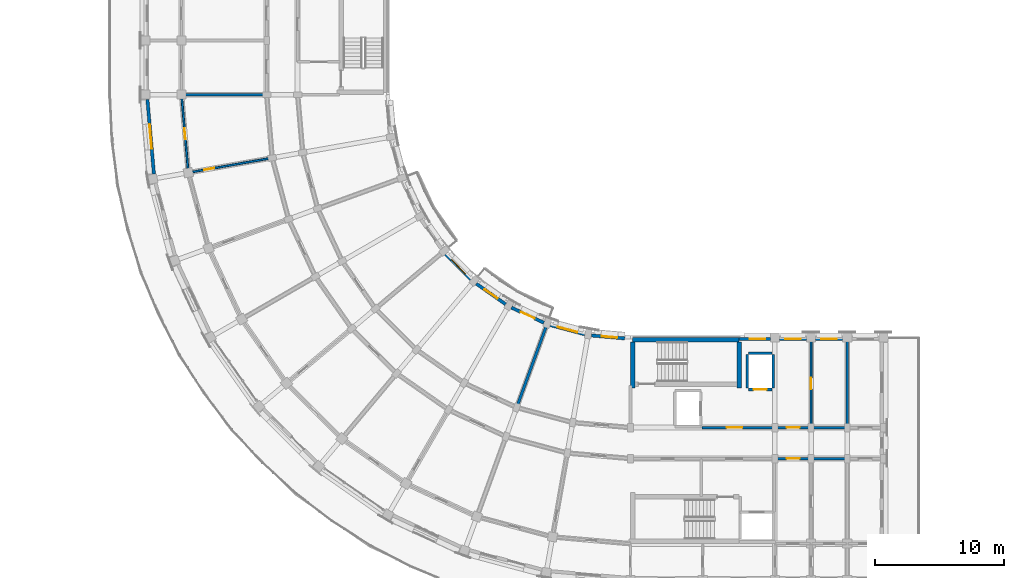
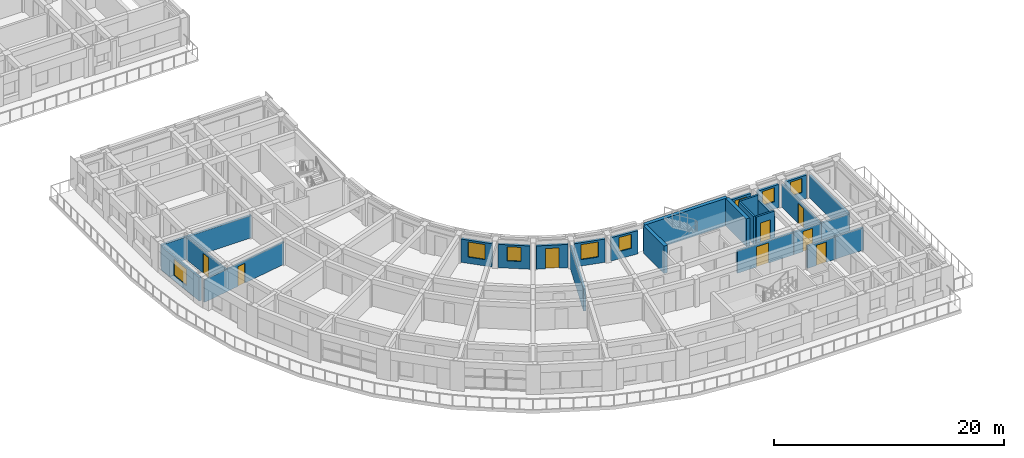
# One storey, part 19 of 54: 27 walls, 8 doors, 8 windows, 16 openings.
"""IFC4 building model written with IfcOpenShell, lengths in metres."""

from ifc_helpers import new_model, si_unit, direction, frame, frame_2d, origin, place, context, subcontext, project, spatial, rectangle, extrude, material, layer, layer_set, type_object, element, fill, save


model = new_model("IFC4")

# Units and contexts
model_context = context("Model", 3, precision=1e-05, world=origin(), true_north=direction((0.0, 1.0)))
body_context = subcontext(model_context, "Body", "Model", "MODEL_VIEW")
ifc_project = project(units=[si_unit("LENGTHUNIT", "METRE"), si_unit("AREAUNIT", "SQUARE_METRE"), si_unit("VOLUMEUNIT", "CUBIC_METRE"), si_unit("PLANEANGLEUNIT", "RADIAN"), si_unit("MASSUNIT", "GRAM", prefix="KILO")], contexts=[model_context])

# Site, building, storey
site_placement = place(None, origin())
site = spatial("IfcSite", under=ifc_project, at=site_placement, CompositionType="ELEMENT")
building_placement = place(site_placement, origin())
building = spatial("IfcBuilding", under=site, at=building_placement, Name="Kiranvali Square Residences", CompositionType="ELEMENT")
storey_placement = place(building_placement, frame((0.0, 0.0, 27.60009765625)))
storey = spatial("IfcBuildingStorey", under=building, at=storey_placement, Name="L08", CompositionType="ELEMENT", Elevation=27.60009765625)

# Wall, opening, door
ifc_material_1 = material(Name="Autoclaved aerated concrete blockwork masonry", Category="masonry")
ifc_layer_1 = layer(ifc_material_1, 0.199951171875)
ifc_layer_set_1 = layer_set([ifc_layer_1], Name="Autoclaved aerated concrete blockwork masonry")
wall_type_1 = type_object("IfcWallType", Name="WL-COR-200", PredefinedType="STANDARD", material=ifc_layer_set_1)
wall_1_placement = place(storey_placement, frame((53.75, 22.39990234375, 0.0), z_axis=(0.0, 0.0, 1.0), x_axis=(1.0, 0.0, 0.0)))
wall_1 = element("IfcWall", 1, at=wall_1_placement, inside=storey, type_object=wall_type_1, Name="L08 architectural wall WL-L08-C-LL-COR", PredefinedType="STANDARD", context=body_context, shape_type="SweptSolid", body=[
    extrude(rectangle(XDim=5.60009765625, YDim=0.199951171875, at=frame_2d((2.800048828125, 0.0))), origin(), (0.0, 0.0, 1.0), 2.371826171875),
])
opening_1_placement = place(wall_1_placement, frame((1.909912109375, 0.0, 0.0)))
opening_1 = element("IfcOpeningElement", 2, at=opening_1_placement, cuts=wall_1, Name="Opening FD-COR-60", PredefinedType="OPENING", context=body_context, shape_type="SweptSolid", body=[
    extrude(rectangle(XDim=1.219970703125, YDim=2.14990234375, at=frame_2d((0.60986328125, 1.074951171875))), frame((0.0, 0.10986328125, 0.0), z_axis=(0.0, -1.0, 0.0), x_axis=(1.0, 0.0, 0.0)), (0.0, 0.0, 1.0), 0.219970703125),
])
ifc_material_2 = material(Name="Fire-rated acoustic hardwood and mineral-core door assembly", Category="wood")
door_type_1 = type_object("IfcDoorType", Name="DR-FD60-1200", OperationType="NOTDEFINED", PredefinedType="DOOR", material=ifc_material_2)
door_1_placement = place(opening_1_placement, origin())
door_1 = element("IfcDoor", 3, at=door_1_placement, inside=storey, type_object=door_type_1, Name="L08 door DR-L08-2207 (DR-FD60-1200)", OperationType="SINGLE_SWING_LEFT", OverallHeight=2.14990234375, OverallWidth=1.219970703125, PredefinedType="DOOR", context=body_context, shape_type="SweptSolid", body=[
    extrude(rectangle(XDim=1.219970703125, YDim=2.14990234375, at=frame_2d((0.60986328125, 1.074951171875))), frame((0.0, 0.02490234375, 0.0), z_axis=(0.0, -1.0, 0.0), x_axis=(1.0, 0.0, 0.0)), (0.0, 0.0, 1.0), 0.050048828125),
])
fill(opening_1, door_1)

wall_2_placement = place(storey_placement, frame((59.39990234375, 22.39990234375, 0.0), z_axis=(0.0, 0.0, 1.0), x_axis=(1.0, 0.0, 0.0)))
wall_2 = element("IfcWall", 4, at=wall_2_placement, inside=storey, type_object=wall_type_1, Name="L08 architectural wall WL-L08-C-A1CI-0", PredefinedType="STANDARD", context=body_context, shape_type="SweptSolid", body=[
    extrude(rectangle(XDim=2.800048828125, YDim=0.199951171875, at=frame_2d((1.39990234375, 0.0))), origin(), (0.0, 0.0, 1.0), 2.371826171875),
])
opening_2_placement = place(wall_2_placement, frame((0.89990234375, 0.0, 0.0)))
opening_2 = element("IfcOpeningElement", 5, at=opening_2_placement, cuts=wall_2, Name="Opening FD-APT-60", PredefinedType="OPENING", context=body_context, shape_type="SweptSolid", body=[
    extrude(rectangle(XDim=1.0, YDim=2.14990234375, at=frame_2d((0.5, 1.074951171875))), frame((0.0, 0.10986328125, 0.0), z_axis=(0.0, -1.0, 0.0), x_axis=(1.0, 0.0, 0.0)), (0.0, 0.0, 1.0), 0.219970703125),
])
door_type_2 = type_object("IfcDoorType", Name="DR-APT-1000", OperationType="NOTDEFINED", PredefinedType="DOOR", material=ifc_material_2)
door_2_placement = place(opening_2_placement, origin())
door_2 = element("IfcDoor", 6, at=door_2_placement, inside=storey, type_object=door_type_2, Name="L08 door DR-L08-2211 (DR-APT-1000)", OperationType="SINGLE_SWING_LEFT", OverallHeight=2.14990234375, OverallWidth=1.0, PredefinedType="DOOR", context=body_context, shape_type="SweptSolid", body=[
    extrude(rectangle(XDim=1.0, YDim=2.14990234375, at=frame_2d((0.5, 1.074951171875))), frame((0.0, 0.02490234375, 0.0), z_axis=(0.0, -1.0, 0.0), x_axis=(1.0, 0.0, 0.0)), (0.0, 0.0, 1.0), 0.050048828125),
])
fill(opening_2, door_2)

wall_3_placement = place(storey_placement, frame((59.39990234375, 20.0, 0.0), z_axis=(0.0, 0.0, 1.0), x_axis=(1.0, 0.0, 0.0)))
wall_3 = element("IfcWall", 7, at=wall_3_placement, inside=storey, type_object=wall_type_1, Name="L08 architectural wall WL-L08-C-A1CO-0", PredefinedType="STANDARD", context=body_context, shape_type="SweptSolid", body=[
    extrude(rectangle(XDim=2.800048828125, YDim=0.199951171875, at=frame_2d((1.39990234375, 0.0))), origin(), (0.0, 0.0, 1.0), 2.371826171875),
])
opening_3_placement = place(wall_3_placement, frame((0.89990234375, 0.0, 0.0)))
opening_3 = element("IfcOpeningElement", 8, at=opening_3_placement, cuts=wall_3, Name="Opening FD-APT-60", PredefinedType="OPENING", context=body_context, shape_type="SweptSolid", body=[
    extrude(rectangle(XDim=1.0, YDim=2.14990234375, at=frame_2d((0.5, 1.074951171875))), frame((0.0, 0.10986328125, 0.0), z_axis=(0.0, -1.0, 0.0), x_axis=(1.0, 0.0, 0.0)), (0.0, 0.0, 1.0), 0.219970703125),
])
door_3_placement = place(opening_3_placement, origin())
door_3 = element("IfcDoor", 9, at=door_3_placement, inside=storey, type_object=door_type_2, Name="L08 door DR-L08-2213 (DR-APT-1000)", OperationType="SINGLE_SWING_LEFT", OverallHeight=2.14990234375, OverallWidth=1.0, PredefinedType="DOOR", context=body_context, shape_type="SweptSolid", body=[
    extrude(rectangle(XDim=1.0, YDim=2.14990234375, at=frame_2d((0.5, 1.074951171875))), frame((0.0, 0.02490234375, 0.0), z_axis=(0.0, -1.0, 0.0), x_axis=(1.0, 0.0, 0.0)), (0.0, 0.0, 1.0), 0.050048828125),
])
fill(opening_3, door_3)

# Walls
for number, where, z_axis, x_axis, name in (
    (10, (62.199951171875, 22.39990234375, 0.0), (0.0, 0.0, 1.0), (1.0, 0.0, 0.0), "L08 architectural wall WL-L08-C-A1CI-1"),
    (11, (62.199951171875, 20.0, 0.0), (0.0, 0.0, 1.0), (1.0, 0.0, 0.0), "L08 architectural wall WL-L08-C-A1CO-1"),
):
    element("IfcWall", number, at=place(storey_placement, frame(where, z_axis=z_axis, x_axis=x_axis)), inside=storey, type_object=wall_type_1, Name=name, PredefinedType="STANDARD", context=body_context, shape_type="SweptSolid", body=[
        extrude(rectangle(XDim=2.800048828125, YDim=0.199951171875, at=frame_2d((1.39990234375, 0.0))), origin(), (0.0, 0.0, 1.0), 2.371826171875),
    ])
ifc_layer_2 = layer(ifc_material_1, 0.219970703125)
ifc_layer_set_2 = layer_set([ifc_layer_2], Name="Autoclaved aerated concrete blockwork masonry")
wall_type_2 = type_object("IfcWallType", Name="WL-DEM-220", PredefinedType="STANDARD", material=ifc_layer_set_2)
for number, where, z_axis, x_axis, name in (
    (12, (65.0, 29.199951171875, 0.0), (0.0, 0.0, 1.0), (0.0, -1.0, 0.0), "L08 architectural wall WL-L08-C-A1TI-2"),
    (13, (41.70166015625, 30.345947265625, 0.0), (0.0, 0.0, 1.0), (-0.342010221662, -0.939696231917, 0.0), "L08 architectural wall WL-L08-C-RADI-2"),
):
    element("IfcWall", number, at=place(storey_placement, frame(where, z_axis=z_axis, x_axis=x_axis)), inside=storey, type_object=wall_type_2, Name=name, PredefinedType="STANDARD", context=body_context, shape_type="SweptSolid", body=[
        extrude(rectangle(XDim=6.75, YDim=0.219970703125, at=frame_2d((3.375, 0.0))), origin(), (0.0, 0.0, 1.0), 2.371826171875),
    ])
wall_4_placement = place(storey_placement, frame((19.89990234375, 48.199951171875, 0.0), z_axis=(0.0, 0.0, 1.0), x_axis=(-1.0, 0.0, 0.0)))
element("IfcWall", 14, at=wall_4_placement, inside=storey, type_object=wall_type_2, Name="L08 architectural wall WL-L08-C-RADO-9", PredefinedType="STANDARD", context=body_context, shape_type="SweptSolid", body=[
    extrude(rectangle(XDim=9.02001953125, YDim=0.219970703125, at=frame_2d((4.510009765625, 0.0))), origin(), (0.0, 0.0, 1.0), 2.371826171875),
])

# Wall, opening, window
ifc_material_3 = material(Name="Breathable lime-rendered clay brick masonry", Category="masonry")
ifc_layer_3 = layer(ifc_material_3, 0.25)
ifc_layer_set_3 = layer_set([ifc_layer_3], Name="Breathable lime-rendered clay brick masonry")
wall_type_3 = type_object("IfcWallType", Name="WL-EXT-250", PredefinedType="STANDARD", material=ifc_layer_set_3)
wall_5_placement = place(storey_placement, frame((11.262939453125, 42.05615234375, 0.0), z_axis=(0.0, 0.0, 1.0), x_axis=(-0.087139808523, 0.996196092027, 0.0)))
wall_5 = element("IfcWall", 15, at=wall_5_placement, inside=storey, type_object=wall_type_3, Name="L08 exterior wall C-L08-CRV-08", PredefinedType="STANDARD", context=body_context, shape_type="SweptSolid", body=[
    extrude(rectangle(XDim=5.80224609375, YDim=0.25, at=frame_2d((2.901123046875, 0.0))), origin(), (0.0, 0.0, 1.0), 2.47998046875),
])
opening_4_placement = place(wall_5_placement, frame((1.951171875, 0.0, 0.530029296875)))
opening_4 = element("IfcOpeningElement", 16, at=opening_4_placement, cuts=wall_5, Name="Opening W-21", PredefinedType="OPENING", context=body_context, shape_type="SweptSolid", body=[
    extrude(rectangle(XDim=1.89990234375, YDim=1.75, at=frame_2d((0.949951171875, 0.875))), frame((0.0, 0.135009765625, 0.0), z_axis=(0.0, -1.0, 0.0), x_axis=(1.0, 0.0, 0.0)), (0.0, 0.0, 1.0), 0.27001953125),
])
ifc_material_4 = material(Name="Solar-control low-e double glazing", Category="glass")
window_type_1 = type_object("IfcWindowType", Name="WIN-TER-1900x1750", PartitioningType="DOUBLE_PANEL_VERTICAL", PredefinedType="WINDOW", material=ifc_material_4)
window_1_placement = place(opening_4_placement, origin())
window_1 = element("IfcWindow", 17, at=window_1_placement, inside=storey, type_object=window_type_1, Name="L08 recessed window C-L08-CRV-08", OverallHeight=1.75, OverallWidth=1.89990234375, PartitioningType="DOUBLE_PANEL_VERTICAL", PredefinedType="WINDOW", context=body_context, shape_type="SweptSolid", body=[
    extrude(rectangle(XDim=1.89990234375, YDim=1.75, at=frame_2d((0.949951171875, 0.875))), frame((0.0, 0.030029296875, 0.0), z_axis=(0.0, -1.0, 0.0), x_axis=(1.0, 0.0, 0.0)), (0.0, 0.0, 1.0), 0.06005859375),
])
fill(opening_4, window_1)

wall_6_placement = place(storey_placement, frame((47.750732421875, 29.313720703125, 0.0), z_axis=(0.0, 0.0, 1.0), x_axis=(-0.996188278786, 0.087229084652, 0.0)))
wall_6 = element("IfcWall", 18, at=wall_6_placement, inside=storey, type_object=wall_type_3, Name="L08 exterior wall C-L08-GDN-00", PredefinedType="STANDARD", context=body_context, shape_type="SweptSolid", body=[
    extrude(rectangle(XDim=2.583251953125, YDim=0.25, at=frame_2d((1.29150390625, 0.0))), origin(), (0.0, 0.0, 1.0), 2.471923828125),
])
opening_5_placement = place(wall_6_placement, frame((0.5986328125, 0.0, 0.77197265625)))
opening_5 = element("IfcOpeningElement", 19, at=opening_5_placement, cuts=wall_6, Name="Opening W-06", PredefinedType="OPENING", context=body_context, shape_type="SweptSolid", body=[
    extrude(rectangle(XDim=1.199951171875, YDim=1.5, at=frame_2d((0.60009765625, 0.75))), frame((0.0, 0.135009765625, 0.0), z_axis=(0.0, -1.0, 0.0), x_axis=(1.0, 0.0, 0.0)), (0.0, 0.0, 1.0), 0.27001953125),
])
window_type_2 = type_object("IfcWindowType", Name="WIN-RES-1200x1500", PartitioningType="SINGLE_PANEL", PredefinedType="WINDOW", material=ifc_material_4)
window_2_placement = place(opening_5_placement, origin())
window_2 = element("IfcWindow", 20, at=window_2_placement, inside=storey, type_object=window_type_2, Name="L08 recessed window C-L08-GDN-00", OverallHeight=1.5, OverallWidth=1.199951171875, PartitioningType="SINGLE_PANEL", PredefinedType="WINDOW", context=body_context, shape_type="SweptSolid", body=[
    extrude(rectangle(XDim=1.199951171875, YDim=1.5, at=frame_2d((0.60009765625, 0.75))), frame((0.0, 0.030029296875, 0.0), z_axis=(0.0, -1.0, 0.0), x_axis=(1.0, 0.0, 0.0)), (0.0, 0.0, 1.0), 0.06005859375),
])
fill(opening_5, window_2)

wall_7_placement = place(storey_placement, frame((44.658203125, 29.630615234375, 0.0), z_axis=(0.0, 0.0, 1.0), x_axis=(-0.965935855992, 0.25878161084, 0.0)))
wall_7 = element("IfcWall", 21, at=wall_7_placement, inside=storey, type_object=wall_type_3, Name="L08 exterior wall C-L08-GDN-01", PredefinedType="STANDARD", context=body_context, shape_type="SweptSolid", body=[
    extrude(rectangle(XDim=2.769775390625, YDim=0.25, at=frame_2d((1.384765625, 0.0))), origin(), (0.0, 0.0, 1.0), 2.471923828125),
])
opening_6_placement = place(wall_7_placement, frame((0.60986328125, 0.0, 0.672119140625)))
opening_6 = element("IfcOpeningElement", 22, at=opening_6_placement, cuts=wall_7, Name="Opening W-18", PredefinedType="OPENING", context=body_context, shape_type="SweptSolid", body=[
    extrude(rectangle(XDim=1.550048828125, YDim=1.60009765625, at=frame_2d((0.77490234375, 0.800048828125))), frame((0.0, 0.135009765625, 0.0), z_axis=(0.0, -1.0, 0.0), x_axis=(1.0, 0.0, 0.0)), (0.0, 0.0, 1.0), 0.27001953125),
])
window_type_3 = type_object("IfcWindowType", Name="WIN-GDN-1550x1600", PartitioningType="DOUBLE_PANEL_VERTICAL", PredefinedType="WINDOW", material=ifc_material_4)
window_3_placement = place(opening_6_placement, origin())
window_3 = element("IfcWindow", 23, at=window_3_placement, inside=storey, type_object=window_type_3, Name="L08 recessed window C-L08-GDN-01", OverallHeight=1.60009765625, OverallWidth=1.550048828125, PartitioningType="DOUBLE_PANEL_VERTICAL", PredefinedType="WINDOW", context=body_context, shape_type="SweptSolid", body=[
    extrude(rectangle(XDim=1.550048828125, YDim=1.60009765625, at=frame_2d((0.77490234375, 0.800048828125))), frame((0.0, 0.030029296875, 0.0), z_axis=(0.0, -1.0, 0.0), x_axis=(1.0, 0.0, 0.0)), (0.0, 0.0, 1.0), 0.06005859375),
])
fill(opening_6, window_3)

# Wall, opening, door
wall_8_placement = place(storey_placement, frame((41.4873046875, 30.527587890625, 0.0), z_axis=(0.0, 0.0, 1.0), x_axis=(-0.906293449611, 0.422649007088, 0.0)))
wall_8 = element("IfcWall", 24, at=wall_8_placement, inside=storey, type_object=wall_type_3, Name="L08 exterior wall C-L08-GDN-02", PredefinedType="STANDARD", context=body_context, shape_type="SweptSolid", body=[
    extrude(rectangle(XDim=2.769775390625, YDim=0.25, at=frame_2d((1.384765625, 0.0))), origin(), (0.0, 0.0, 1.0), 2.471923828125),
])
opening_7_placement = place(wall_8_placement, frame((0.784912109375, 0.0, 0.0)))
opening_7 = element("IfcOpeningElement", 25, at=opening_7_placement, cuts=wall_8, Name="Opening ED-BAL-1", PredefinedType="OPENING", context=body_context, shape_type="SweptSolid", body=[
    extrude(rectangle(XDim=1.199951171875, YDim=2.14990234375, at=frame_2d((0.60009765625, 1.074951171875))), frame((0.0, 0.135009765625, 0.0), z_axis=(0.0, -1.0, 0.0), x_axis=(1.0, 0.0, 0.0)), (0.0, 0.0, 1.0), 0.27001953125),
])
ifc_material_5 = material(Name="Anodised bronze aluminium framing", Category="aluminium")
door_type_3 = type_object("IfcDoorType", Name="DR-BAL-1200", OperationType="NOTDEFINED", PredefinedType="DOOR", material=ifc_material_5)
door_4_placement = place(opening_7_placement, frame((1.199951171875, 0.0, 0.0), z_axis=(0.0, 0.0, 1.0), x_axis=(-1.0, 0.0, 0.0)))
door_4 = element("IfcDoor", 26, at=door_4_placement, inside=storey, type_object=door_type_3, Name="L08 balcony terrace door", OperationType="SINGLE_SWING_LEFT", OverallHeight=2.14990234375, OverallWidth=1.199951171875, PredefinedType="DOOR", context=body_context, shape_type="SweptSolid", body=[
    extrude(rectangle(XDim=1.199951171875, YDim=2.14990234375, at=frame_2d((0.60009765625, 1.074951171875))), frame((0.0, 0.02490234375, 0.0), z_axis=(0.0, -1.0, 0.0), x_axis=(1.0, 0.0, 0.0)), (0.0, 0.0, 1.0), 0.050048828125),
])
fill(opening_7, door_4)

# Wall, opening, window
wall_9_placement = place(storey_placement, frame((38.5205078125, 31.961669921875, 0.0), z_axis=(0.0, 0.0, 1.0), x_axis=(-0.819111815273, 0.573633885053, 0.0)))
wall_9 = element("IfcWall", 27, at=wall_9_placement, inside=storey, type_object=wall_type_3, Name="L08 exterior wall C-L08-GDN-03", PredefinedType="STANDARD", context=body_context, shape_type="SweptSolid", body=[
    extrude(rectangle(XDim=2.769775390625, YDim=0.25, at=frame_2d((1.384765625, 0.0))), origin(), (0.0, 0.0, 1.0), 2.471923828125),
])
opening_8_placement = place(wall_9_placement, frame((0.784912109375, 0.0, 0.77197265625)))
opening_8 = element("IfcOpeningElement", 28, at=opening_8_placement, cuts=wall_9, Name="Opening W-06", PredefinedType="OPENING", context=body_context, shape_type="SweptSolid", body=[
    extrude(rectangle(XDim=1.199951171875, YDim=1.5, at=frame_2d((0.60009765625, 0.75))), frame((0.0, 0.135009765625, 0.0), z_axis=(0.0, -1.0, 0.0), x_axis=(1.0, 0.0, 0.0)), (0.0, 0.0, 1.0), 0.27001953125),
])
window_4_placement = place(opening_8_placement, origin())
window_4 = element("IfcWindow", 29, at=window_4_placement, inside=storey, type_object=window_type_2, Name="L08 recessed window C-L08-GDN-03", OverallHeight=1.5, OverallWidth=1.199951171875, PartitioningType="SINGLE_PANEL", PredefinedType="WINDOW", context=body_context, shape_type="SweptSolid", body=[
    extrude(rectangle(XDim=1.199951171875, YDim=1.5, at=frame_2d((0.60009765625, 0.75))), frame((0.0, 0.030029296875, 0.0), z_axis=(0.0, -1.0, 0.0), x_axis=(1.0, 0.0, 0.0)), (0.0, 0.0, 1.0), 0.06005859375),
])
fill(opening_8, window_4)

wall_10_placement = place(storey_placement, frame((35.847900390625, 33.88916015625, 0.0), z_axis=(0.0, 0.0, 1.0), x_axis=(-0.707106781187, 0.707106781187, 0.0)))
wall_10 = element("IfcWall", 30, at=wall_10_placement, inside=storey, type_object=wall_type_3, Name="L08 exterior wall C-L08-GDN-04", PredefinedType="STANDARD", context=body_context, shape_type="SweptSolid", body=[
    extrude(rectangle(XDim=2.77001953125, YDim=0.25, at=frame_2d((1.385009765625, 0.0))), origin(), (0.0, 0.0, 1.0), 2.471923828125),
])
opening_9_placement = place(wall_10_placement, frame((0.60986328125, 0.0, 0.672119140625)))
opening_9 = element("IfcOpeningElement", 31, at=opening_9_placement, cuts=wall_10, Name="Opening W-18", PredefinedType="OPENING", context=body_context, shape_type="SweptSolid", body=[
    extrude(rectangle(XDim=1.550048828125, YDim=1.60009765625, at=frame_2d((0.77490234375, 0.800048828125))), frame((0.0, 0.135009765625, 0.0), z_axis=(0.0, -1.0, 0.0), x_axis=(1.0, 0.0, 0.0)), (0.0, 0.0, 1.0), 0.27001953125),
])
window_5_placement = place(opening_9_placement, origin())
window_5 = element("IfcWindow", 32, at=window_5_placement, inside=storey, type_object=window_type_3, Name="L08 recessed window C-L08-GDN-04", OverallHeight=1.60009765625, OverallWidth=1.550048828125, PartitioningType="DOUBLE_PANEL_VERTICAL", PredefinedType="WINDOW", context=body_context, shape_type="SweptSolid", body=[
    extrude(rectangle(XDim=1.550048828125, YDim=1.60009765625, at=frame_2d((0.77490234375, 0.800048828125))), frame((0.0, 0.030029296875, 0.0), z_axis=(0.0, -1.0, 0.0), x_axis=(1.0, 0.0, 0.0)), (0.0, 0.0, 1.0), 0.06005859375),
])
fill(opening_9, window_5)

wall_11_placement = place(storey_placement, frame((56.62841796875, 29.27490234375, 0.0), z_axis=(0.0, 0.0, 1.0), x_axis=(1.0, 0.0, 0.0)))
wall_11 = element("IfcWall", 33, at=wall_11_placement, inside=storey, type_object=wall_type_3, Name="L08 exterior wall C-L08-A1IN-0", PredefinedType="STANDARD", context=body_context, shape_type="SweptSolid", body=[
    extrude(rectangle(XDim=2.421630859375, YDim=0.25, at=frame_2d((1.2109375, 0.0))), origin(), (0.0, 0.0, 1.0), 2.471923828125),
])
opening_10_placement = place(wall_11_placement, frame((0.821533203125, 0.0, 0.77197265625)))
opening_10 = element("IfcOpeningElement", 34, at=opening_10_placement, cuts=wall_11, Name="Opening W-06", PredefinedType="OPENING", context=body_context, shape_type="SweptSolid", body=[
    extrude(rectangle(XDim=1.199951171875, YDim=1.5, at=frame_2d((0.60009765625, 0.75))), frame((0.0, 0.135009765625, 0.0), z_axis=(0.0, -1.0, 0.0), x_axis=(1.0, 0.0, 0.0)), (0.0, 0.0, 1.0), 0.27001953125),
])
window_6_placement = place(opening_10_placement, origin())
window_6 = element("IfcWindow", 35, at=window_6_placement, inside=storey, type_object=window_type_2, Name="L08 recessed window C-L08-A1IN-0", OverallHeight=1.5, OverallWidth=1.199951171875, PartitioningType="SINGLE_PANEL", PredefinedType="WINDOW", context=body_context, shape_type="SweptSolid", body=[
    extrude(rectangle(XDim=1.199951171875, YDim=1.5, at=frame_2d((0.60009765625, 0.75))), frame((0.0, 0.030029296875, 0.0), z_axis=(0.0, -1.0, 0.0), x_axis=(1.0, 0.0, 0.0)), (0.0, 0.0, 1.0), 0.06005859375),
])
fill(opening_10, window_6)

wall_12_placement = place(storey_placement, frame((59.75341796875, 29.27490234375, 0.0), z_axis=(0.0, 0.0, 1.0), x_axis=(1.0, 0.0, 0.0)))
wall_12 = element("IfcWall", 36, at=wall_12_placement, inside=storey, type_object=wall_type_3, Name="L08 exterior wall C-L08-A1I-0", PredefinedType="STANDARD", context=body_context, shape_type="SweptSolid", body=[
    extrude(rectangle(XDim=2.093017578125, YDim=0.25, at=frame_2d((1.04638671875, 0.0))), origin(), (0.0, 0.0, 1.0), 2.471923828125),
])
opening_11_placement = place(wall_12_placement, frame((0.446533203125, 0.0, 0.77197265625)))
opening_11 = element("IfcOpeningElement", 37, at=opening_11_placement, cuts=wall_12, Name="Opening W-06", PredefinedType="OPENING", context=body_context, shape_type="SweptSolid", body=[
    extrude(rectangle(XDim=1.199951171875, YDim=1.5, at=frame_2d((0.60009765625, 0.75))), frame((0.0, 0.135009765625, 0.0), z_axis=(0.0, -1.0, 0.0), x_axis=(1.0, 0.0, 0.0)), (0.0, 0.0, 1.0), 0.27001953125),
])
window_7_placement = place(opening_11_placement, origin())
window_7 = element("IfcWindow", 38, at=window_7_placement, inside=storey, type_object=window_type_2, Name="L08 recessed window C-L08-A1I-0", OverallHeight=1.5, OverallWidth=1.199951171875, PartitioningType="SINGLE_PANEL", PredefinedType="WINDOW", context=body_context, shape_type="SweptSolid", body=[
    extrude(rectangle(XDim=1.199951171875, YDim=1.5, at=frame_2d((0.60009765625, 0.75))), frame((0.0, 0.030029296875, 0.0), z_axis=(0.0, -1.0, 0.0), x_axis=(1.0, 0.0, 0.0)), (0.0, 0.0, 1.0), 0.06005859375),
])
fill(opening_11, window_7)

wall_13_placement = place(storey_placement, frame((62.553466796875, 29.27490234375, 0.0), z_axis=(0.0, 0.0, 1.0), x_axis=(1.0, 0.0, 0.0)))
wall_13 = element("IfcWall", 39, at=wall_13_placement, inside=storey, type_object=wall_type_3, Name="L08 exterior wall C-L08-A1I-1", PredefinedType="STANDARD", context=body_context, shape_type="SweptSolid", body=[
    extrude(rectangle(XDim=2.093017578125, YDim=0.25, at=frame_2d((1.04638671875, 0.0))), origin(), (0.0, 0.0, 1.0), 2.471923828125),
])
opening_12_placement = place(wall_13_placement, frame((0.446533203125, 0.0, 0.77197265625)))
opening_12 = element("IfcOpeningElement", 40, at=opening_12_placement, cuts=wall_13, Name="Opening W-06", PredefinedType="OPENING", context=body_context, shape_type="SweptSolid", body=[
    extrude(rectangle(XDim=1.199951171875, YDim=1.5, at=frame_2d((0.60009765625, 0.75))), frame((0.0, 0.135009765625, 0.0), z_axis=(0.0, -1.0, 0.0), x_axis=(1.0, 0.0, 0.0)), (0.0, 0.0, 1.0), 0.27001953125),
])
window_8_placement = place(opening_12_placement, origin())
window_8 = element("IfcWindow", 41, at=window_8_placement, inside=storey, type_object=window_type_2, Name="L08 recessed window C-L08-A1I-1", OverallHeight=1.5, OverallWidth=1.199951171875, PartitioningType="SINGLE_PANEL", PredefinedType="WINDOW", context=body_context, shape_type="SweptSolid", body=[
    extrude(rectangle(XDim=1.199951171875, YDim=1.5, at=frame_2d((0.60009765625, 0.75))), frame((0.0, 0.030029296875, 0.0), z_axis=(0.0, -1.0, 0.0), x_axis=(1.0, 0.0, 0.0)), (0.0, 0.0, 1.0), 0.06005859375),
])
fill(opening_12, window_8)

# Wall, opening, door
ifc_material_6 = material(Name="Acoustic gypsum board drylined partition", Category="gypsum")
ifc_layer_4 = layer(ifc_material_6, 0.14990234375)
ifc_layer_set_4 = layer_set([ifc_layer_4], Name="Acoustic gypsum board drylined partition")
wall_type_4 = type_object("IfcWallType", Name="WL-PRT-150", PredefinedType="PARTITIONING", material=ifc_layer_set_4)
wall_14_placement = place(storey_placement, frame((62.199951171875, 29.199951171875, 0.0), z_axis=(0.0, 0.0, 1.0), x_axis=(0.0, -1.0, 0.0)))
wall_14 = element("IfcWall", 42, at=wall_14_placement, inside=storey, type_object=wall_type_4, Name="L08 architectural wall WL-L08-C-A1TI-1", PredefinedType="PARTITIONING", context=body_context, shape_type="SweptSolid", body=[
    extrude(rectangle(XDim=6.75, YDim=0.14990234375, at=frame_2d((3.375, 0.0))), origin(), (0.0, 0.0, 1.0), 2.371826171875),
])
opening_13_placement = place(wall_14_placement, frame((2.925048828125, 0.0, 0.0)))
opening_13 = element("IfcOpeningElement", 43, at=opening_13_placement, cuts=wall_14, Name="Opening ID-1", PredefinedType="OPENING", context=body_context, shape_type="SweptSolid", body=[
    extrude(rectangle(XDim=0.89990234375, YDim=2.10009765625, at=frame_2d((0.449951171875, 1.050048828125))), frame((0.0, 0.0849609375, 0.0), z_axis=(0.0, -1.0, 0.0), x_axis=(1.0, 0.0, 0.0)), (0.0, 0.0, 1.0), 0.169921875),
])
ifc_material_7 = material(Name="Solid seasoned teak hardwood joinery", Category="wood")
door_type_4 = type_object("IfcDoorType", Name="DR-INT-900", OperationType="NOTDEFINED", PredefinedType="DOOR", material=ifc_material_7)
door_5_placement = place(opening_13_placement, origin())
door_5 = element("IfcDoor", 44, at=door_5_placement, inside=storey, type_object=door_type_4, Name="L08 door DR-L08-2219 (DR-INT-900)", OperationType="SINGLE_SWING_LEFT", OverallHeight=2.10009765625, OverallWidth=0.89990234375, PredefinedType="DOOR", context=body_context, shape_type="SweptSolid", body=[
    extrude(rectangle(XDim=0.89990234375, YDim=2.10009765625, at=frame_2d((0.449951171875, 1.050048828125))), frame((0.0, 0.02490234375, 0.0), z_axis=(0.0, -1.0, 0.0), x_axis=(1.0, 0.0, 0.0)), (0.0, 0.0, 1.0), 0.050048828125),
])
fill(opening_13, door_5)

wall_15_placement = place(storey_placement, frame((20.329833984375, 43.28564453125, 0.0), z_axis=(0.0, 0.0, 1.0), x_axis=(-0.98480997874, -0.173635554464, 0.0)))
wall_15 = element("IfcWall", 45, at=wall_15_placement, inside=storey, type_object=wall_type_4, Name="L08 architectural wall WL-L08-C-RADO-8", PredefinedType="PARTITIONING", context=body_context, shape_type="SweptSolid", body=[
    extrude(rectangle(XDim=9.019775390625, YDim=0.14990234375, at=frame_2d((4.509765625, 0.0))), origin(), (0.0, 0.0, 1.0), 2.371826171875),
])
opening_14_placement = place(wall_15_placement, frame((4.449951171875, 0.0, 0.0)))
opening_14 = element("IfcOpeningElement", 46, at=opening_14_placement, cuts=wall_15, Name="Opening ID-WET", PredefinedType="OPENING", context=body_context, shape_type="SweptSolid", body=[
    extrude(rectangle(XDim=0.800048828125, YDim=2.10009765625, at=frame_2d((0.39990234375, 1.050048828125))), frame((0.0, 0.0849609375, 0.0), z_axis=(0.0, -1.0, 0.0), x_axis=(1.0, 0.0, 0.0)), (0.0, 0.0, 1.0), 0.169921875),
])
door_type_5 = type_object("IfcDoorType", Name="DR-WET-800", OperationType="NOTDEFINED", PredefinedType="DOOR", material=ifc_material_7)
door_6_placement = place(opening_14_placement, origin())
door_6 = element("IfcDoor", 47, at=door_6_placement, inside=storey, type_object=door_type_5, Name="L08 door DR-L08-2227 (DR-WET-800)", OperationType="SINGLE_SWING_LEFT", OverallHeight=2.10009765625, OverallWidth=0.800048828125, PredefinedType="DOOR", context=body_context, shape_type="SweptSolid", body=[
    extrude(rectangle(XDim=0.800048828125, YDim=2.10009765625, at=frame_2d((0.39990234375, 1.050048828125))), frame((0.0, 0.02490234375, 0.0), z_axis=(0.0, -1.0, 0.0), x_axis=(1.0, 0.0, 0.0)), (0.0, 0.0, 1.0), 0.050048828125),
])
fill(opening_14, door_6)

# Walls
ifc_layer_5 = layer(ifc_material_1, 0.199951171875)
ifc_layer_set_5 = layer_set([ifc_layer_5], Name="Autoclaved aerated concrete blockwork masonry")
wall_type_5 = type_object("IfcWallType", Name="WL-SHF-200", PredefinedType="STANDARD", material=ifc_layer_set_5)
wall_16_placement = place(storey_placement, frame((57.25, 28.050048828125, 0.0), z_axis=(0.0, 0.0, 1.0), x_axis=(0.0, -1.0, 0.0)))
element("IfcWall", 48, at=wall_16_placement, inside=storey, type_object=wall_type_5, Name="L08 architectural wall WL-L08-C-LP1-S1", PredefinedType="STANDARD", context=body_context, shape_type="SweptSolid", body=[
    extrude(rectangle(XDim=2.60009765625, YDim=0.199951171875, at=frame_2d((1.300048828125, 0.0))), origin(), (0.0, 0.0, 1.0), 2.929931640625),
])
wall_17_placement = place(storey_placement, frame((59.25, 28.050048828125, 0.0), z_axis=(0.0, 0.0, 1.0), x_axis=(0.0, -1.0, 0.0)))
element("IfcWall", 49, at=wall_17_placement, inside=storey, type_object=wall_type_5, Name="L08 architectural wall WL-L08-C-LP1-B", PredefinedType="STANDARD", context=body_context, shape_type="SweptSolid", body=[
    extrude(rectangle(XDim=2.60009765625, YDim=0.199951171875, at=frame_2d((1.300048828125, 0.0))), origin(), (0.0, 0.0, 1.0), 2.371826171875),
])
wall_18_placement = place(storey_placement, frame((57.35009765625, 28.14990234375, 0.0), z_axis=(0.0, 0.0, 1.0), x_axis=(1.0, 0.0, 0.0)))
element("IfcWall", 50, at=wall_18_placement, inside=storey, type_object=wall_type_5, Name="L08 architectural wall WL-L08-C-LP1-S2", PredefinedType="STANDARD", context=body_context, shape_type="SweptSolid", body=[
    extrude(rectangle(XDim=1.7998046875, YDim=0.199951171875, at=frame_2d((0.89990234375, 0.0))), origin(), (0.0, 0.0, 1.0), 2.929931640625),
])

# Wall, opening, door
wall_19_placement = place(storey_placement, frame((57.35009765625, 25.35009765625, 0.0), z_axis=(0.0, 0.0, 1.0), x_axis=(1.0, 0.0, 0.0)))
wall_19 = element("IfcWall", 51, at=wall_19_placement, inside=storey, type_object=wall_type_5, Name="L08 architectural wall WL-L08-C-LP1-F", PredefinedType="STANDARD", context=body_context, shape_type="SweptSolid", body=[
    extrude(rectangle(XDim=1.7998046875, YDim=0.199951171875, at=frame_2d((0.89990234375, 0.0))), origin(), (0.0, 0.0, 1.0), 2.929931640625),
])
opening_15_placement = place(wall_19_placement, frame((0.389892578125, 0.0, 0.0)))
opening_15 = element("IfcOpeningElement", 52, at=opening_15_placement, cuts=wall_19, Name="Opening LD-PAX-100", PredefinedType="OPENING", context=body_context, shape_type="SweptSolid", body=[
    extrude(rectangle(XDim=1.02001953125, YDim=2.14990234375, at=frame_2d((0.510009765625, 1.074951171875))), frame((0.0, 0.10986328125, 0.0), z_axis=(0.0, -1.0, 0.0), x_axis=(1.0, 0.0, 0.0)), (0.0, 0.0, 1.0), 0.219970703125),
])
door_type_6 = type_object("IfcDoorType", Name="DR-LIFT-1000", OperationType="SLIDING_TO_RIGHT", PredefinedType="DOOR", material=ifc_material_2)
door_7_placement = place(opening_15_placement, origin())
door_7 = element("IfcDoor", 53, at=door_7_placement, inside=storey, type_object=door_type_6, Name="L08 door DR-L08-2205 (DR-LIFT-1000)", OperationType="SLIDING_TO_RIGHT", OverallHeight=2.14990234375, OverallWidth=1.02001953125, PredefinedType="DOOR", context=body_context, shape_type="SweptSolid", body=[
    extrude(rectangle(XDim=1.02001953125, YDim=2.14990234375, at=frame_2d((0.510009765625, 1.074951171875))), frame((0.0, 0.02490234375, 0.0), z_axis=(0.0, -1.0, 0.0), x_axis=(1.0, 0.0, 0.0)), (0.0, 0.0, 1.0), 0.050048828125),
])
fill(opening_15, door_7)

# Walls
ifc_material_8 = material(Name="Concrete M45 (45 MPa)", Category="concrete")
ifc_layer_6 = layer(ifc_material_8, 0.320068359375)
ifc_layer_set_6 = layer_set([ifc_layer_6], Name="Concrete M45 (45 MPa)")
wall_type_6 = type_object("IfcWallType", Name="WL-SHR-320", PredefinedType="SHEAR", material=ifc_layer_set_6)
wall_20_placement = place(storey_placement, frame((48.375, 29.22509765625, 0.0), z_axis=(0.0, 0.0, 1.0), x_axis=(1.0, 0.0, 0.0)))
element("IfcWall", 54, at=wall_20_placement, inside=storey, type_object=wall_type_6, Name="Block C core shear wall SW-C2-OUT-L08", PredefinedType="SHEAR", context=body_context, shape_type="SweptSolid", body=[
    extrude(rectangle(XDim=8.25, YDim=0.35009765625, at=frame_2d((4.125, 0.0))), origin(), (0.0, 0.0, 1.0), 2.929931640625),
])
for number, where, z_axis, x_axis, name in (
    (55, (48.375, 29.050048828125, 0.0), (0.0, 0.0, 1.0), (0.0, -1.0, 0.0), "Block C core shear wall SW-C2-NEAR-L08"),
    (56, (56.625, 29.050048828125, 0.0), (0.0, 0.0, 1.0), (0.0, -1.0, 0.0), "Block C core shear wall SW-C2-FAR-L08"),
):
    element("IfcWall", number, at=place(storey_placement, frame(where, z_axis=z_axis, x_axis=x_axis)), inside=storey, type_object=wall_type_6, Name=name, PredefinedType="SHEAR", context=body_context, shape_type="SweptSolid", body=[
        extrude(rectangle(XDim=3.60009765625, YDim=0.35009765625, at=frame_2d((1.800048828125, 0.0))), origin(), (0.0, 0.0, 1.0), 2.929931640625),
    ])

# Wall, opening, door
ifc_layer_7 = layer(ifc_material_1, 0.14990234375)
ifc_layer_set_7 = layer_set([ifc_layer_7], Name="Autoclaved aerated concrete blockwork masonry")
wall_type_7 = type_object("IfcWallType", Name="WL-WET-150", PredefinedType="PLUMBINGWALL", material=ifc_layer_set_7)
wall_21_placement = place(storey_placement, frame((13.9287109375, 42.156982421875, 0.0), z_axis=(0.0, 0.0, 1.0), x_axis=(-0.087174938512, 0.996193018494, 0.0)))
wall_21 = element("IfcWall", 57, at=wall_21_placement, inside=storey, type_object=wall_type_7, Name="L08 architectural wall WL-L08-C-CWET-8", PredefinedType="PLUMBINGWALL", context=body_context, shape_type="SweptSolid", body=[
    extrude(rectangle(XDim=6.066162109375, YDim=0.14990234375, at=frame_2d((3.033203125, 0.0))), origin(), (0.0, 0.0, 1.0), 2.371826171875),
])
opening_16_placement = place(wall_21_placement, frame((2.613037109375, 0.0, 0.0)))
opening_16 = element("IfcOpeningElement", 58, at=opening_16_placement, cuts=wall_21, Name="Opening ID-WET2", PredefinedType="OPENING", context=body_context, shape_type="SweptSolid", body=[
    extrude(rectangle(XDim=0.840087890625, YDim=2.10009765625, at=frame_2d((0.419921875, 1.050048828125))), frame((0.0, 0.0849609375, 0.0), z_axis=(0.0, -1.0, 0.0), x_axis=(1.0, 0.0, 0.0)), (0.0, 0.0, 1.0), 0.169921875),
])
door_type_7 = type_object("IfcDoorType", Name="DR-WET-840", OperationType="NOTDEFINED", PredefinedType="DOOR", material=ifc_material_7)
door_8_placement = place(opening_16_placement, frame((0.840087890625, 0.0, 0.0), z_axis=(0.0, 0.0, 1.0), x_axis=(-1.0, 0.0, 0.0)))
door_8 = element("IfcDoor", 59, at=door_8_placement, inside=storey, type_object=door_type_7, Name="L08 door DR-L08-2240 (DR-WET-840)", OperationType="SINGLE_SWING_RIGHT", OverallHeight=2.10009765625, OverallWidth=0.840087890625, PredefinedType="DOOR", context=body_context, shape_type="SweptSolid", body=[
    extrude(rectangle(XDim=0.840087890625, YDim=2.10009765625, at=frame_2d((0.419921875, 1.050048828125))), frame((0.0, 0.02490234375, 0.0), z_axis=(0.0, -1.0, 0.0), x_axis=(1.0, 0.0, 0.0)), (0.0, 0.0, 1.0), 0.050048828125),
])
fill(opening_16, door_8)

save(model, "model.ifc")
